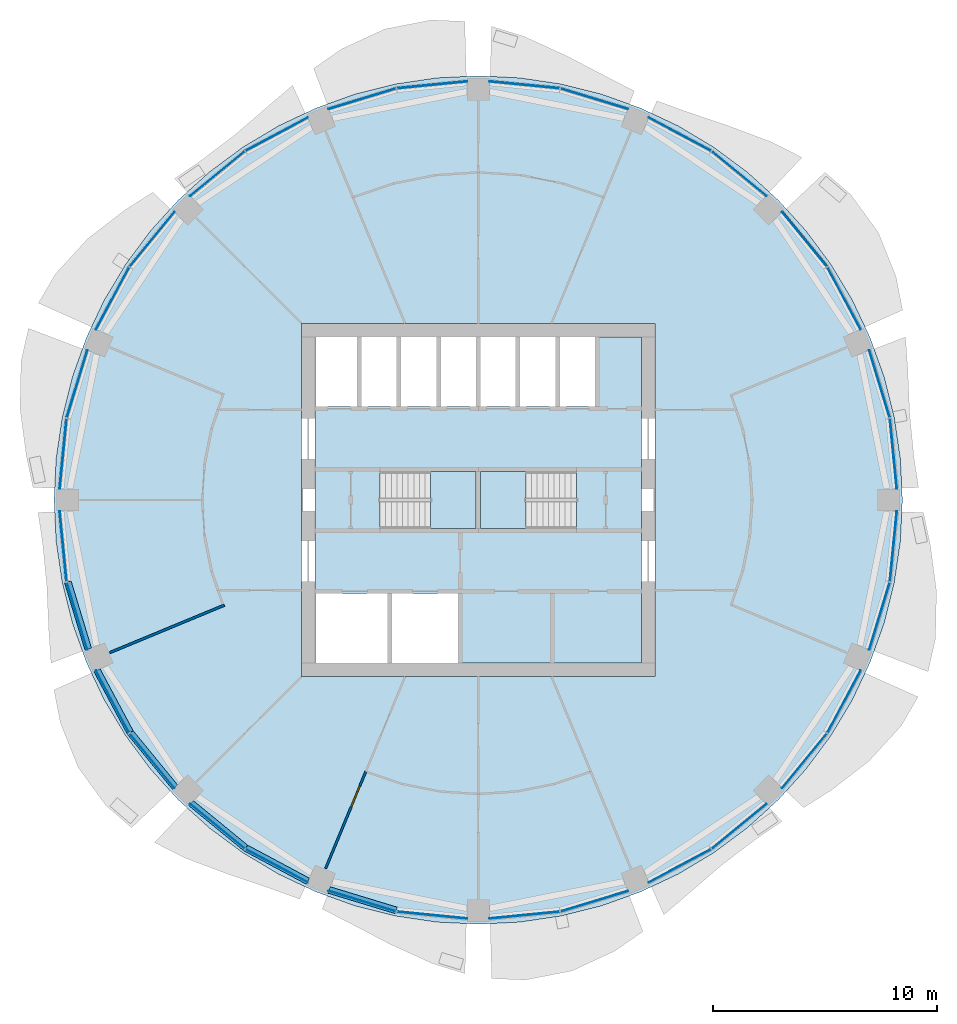
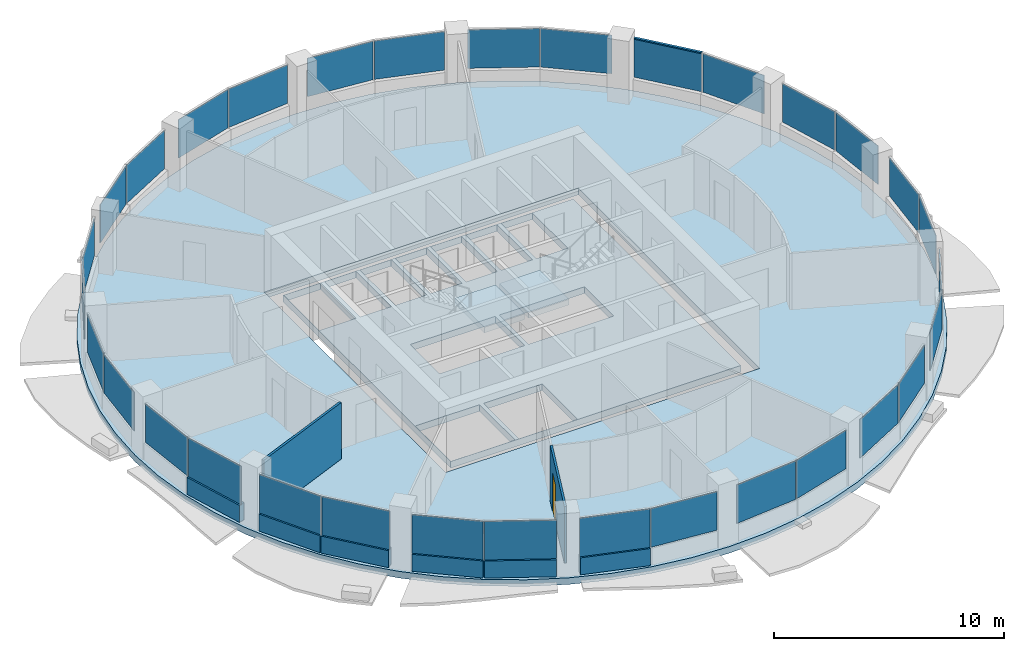
# One storey, part 7 of 14: 32 plates, 8 walls, 4 slabs, 1 door, 1 member, 1 opening, 18 elements without a shape of their own.
"""IFC4 building model written with IfcOpenShell, lengths in metres."""

import ifcopenshell
import ifcopenshell.guid

model = None  # the IFC model being written
_history = None  # IfcOwnerHistory: only IFC2X3 demands one
_inside = {}  # id of a spatial element -> (the spatial element, [elements in it])
_under = {}  # id of a project, library or spatial element -> (it, [spatial elements below it])
_declared = {}  # id of a project -> (the project, [libraries it declares])
_typed = {}  # id of a type object -> (the type object, [elements of that type])
_made_of = {}  # id of a material, layer set ... -> (it, [elements and type objects made of it])


def new_model(schema):
    """Start an empty IFC model of exactly this schema.

    Asked for "IFC4X3", IfcOpenShell would pick the latest addendum, in which some entities
    have other attributes; the version numbers below select the first issue.
    IFC2X3 requires an IfcOwnerHistory on every rooted entity: one is made here for all.
    """
    global model, _history
    if schema == "IFC4X3":
        model = ifcopenshell.file(schema_version=(4, 3, 0, 0))
    else:
        model = ifcopenshell.file(schema=schema)
    _inside.clear()
    _under.clear()
    _declared.clear()
    _typed.clear()
    _made_of.clear()
    _history = None
    if model.schema == "IFC2X3":
        org = make("IfcOrganization", Name="unknown")
        user = make(
            "IfcPersonAndOrganization",
            ThePerson=make("IfcPerson", FamilyName="unknown"),
            TheOrganization=org,
        )
        app = make(
            "IfcApplication",
            ApplicationDeveloper=org,
            Version="unknown",
            ApplicationFullName="unknown",
            ApplicationIdentifier="unknown",
        )
        _history = make(
            "IfcOwnerHistory",
            OwningUser=user,
            OwningApplication=app,
            ChangeAction="ADDED",
            CreationDate=0,
        )
    return model


def make(cls, **values):
    """One entity of the class cls with the attributes given. An attribute that is None is left unset."""
    return model.create_entity(
        cls, **{name: value for name, value in values.items() if value is not None}
    )


def rooted(cls, **values):
    """An entity with a GlobalId (a new one), such as an element, a storey or a relation."""
    return make(cls, GlobalId=ifcopenshell.guid.new(), OwnerHistory=_history, **values)


def si_unit(unit_type, name, prefix=None):
    """IfcSIUnit, for example si_unit("LENGTHUNIT", "METRE", prefix="MILLI")."""
    return make("IfcSIUnit", UnitType=unit_type, Prefix=prefix, Name=name)


def assignment(units):
    """IfcUnitAssignment: the units of a project."""
    return None if units is None else make("IfcUnitAssignment", Units=units)


def point(xyz):
    """IfcCartesianPoint."""
    return None if xyz is None else make("IfcCartesianPoint", Coordinates=xyz)


def direction(xyz):
    """IfcDirection."""
    return None if xyz is None else make("IfcDirection", DirectionRatios=xyz)


def frame(location, z_axis=None, x_axis=None):
    """IfcAxis2Placement3D, a coordinate frame: its origin and axes. An axis left out is left unset."""
    return make(
        "IfcAxis2Placement3D",
        Location=point(location),
        Axis=direction(z_axis),
        RefDirection=direction(x_axis),
    )


def frame_2d(location, x_axis=None):
    """IfcAxis2Placement2D, a coordinate frame in the plane: its origin and x axis."""
    return make(
        "IfcAxis2Placement2D", Location=point(location), RefDirection=direction(x_axis)
    )


def origin():
    """The frame at (0, 0, 0) with its axes left unset."""
    return frame((0.0, 0.0, 0.0))


def origin_2d():
    """The frame at (0, 0) in the plane with its x axis left unset."""
    return frame_2d((0.0, 0.0))


def place(relative_to, where):
    """IfcLocalPlacement: puts the frame where relative to a parent placement (None: the world)."""
    return make(
        "IfcLocalPlacement", PlacementRelTo=relative_to, RelativePlacement=where
    )


def context(
    kind, dimensions, precision=None, world=None, true_north=None, identifier=None
):
    """IfcGeometricRepresentationContext, for example the 3D "Model" context."""
    return make(
        "IfcGeometricRepresentationContext",
        ContextIdentifier=identifier,
        ContextType=kind,
        CoordinateSpaceDimension=dimensions,
        Precision=precision,
        WorldCoordinateSystem=world,
        TrueNorth=true_north,
    )


def subcontext(parent, identifier, kind, view, scale=None):
    """IfcGeometricRepresentationSubContext, for example "Body" below "Model"."""
    return make(
        "IfcGeometricRepresentationSubContext",
        ContextIdentifier=identifier,
        ContextType=kind,
        ParentContext=parent,
        TargetScale=scale,
        TargetView=view,
    )


def project(units=None, contexts=None):
    """IfcProject with its units and contexts."""
    return rooted(
        "IfcProject",
        Name="project",
        RepresentationContexts=contexts,
        UnitsInContext=assignment(units),
    )


def spatial(cls, under=None, at=None, **own):
    """A site, building, storey or space (cls), placed at a placement, below another one or the project."""
    s = rooted(cls, ObjectPlacement=at, **own)
    if under is not None:
        _under.setdefault(under.id(), (under, []))[1].append(s)
    return s


def polyline(points):
    """IfcPolyline through the points."""
    return make("IfcPolyline", Points=[point(p) for p in points])


def profile(cls, at=None, kind="AREA", **sizes):
    """A parametric profile (cls). Its sizes go by their IFC names, for example OverallWidth=200.0."""
    return make(cls, ProfileType=kind, Position=at, **sizes)


def rectangle(**sizes):
    """IfcRectangleProfileDef."""
    return profile("IfcRectangleProfileDef", **sizes)


def outline(outer, holes=None, kind="AREA"):
    """IfcArbitraryClosedProfileDef: a profile drawn as a closed curve; with holes, ...WithVoids."""
    if holes is None:
        return make("IfcArbitraryClosedProfileDef", ProfileType=kind, OuterCurve=outer)
    return make(
        "IfcArbitraryProfileDefWithVoids",
        ProfileType=kind,
        OuterCurve=outer,
        InnerCurves=holes,
    )


def extrude(swept, where, along, depth):
    """IfcExtrudedAreaSolid: the profile swept, set in the frame where, extruded along a direction by depth."""
    return make(
        "IfcExtrudedAreaSolid",
        SweptArea=swept,
        Position=where,
        ExtrudedDirection=direction(along),
        Depth=depth,
    )


def shape(context_of_items, identifier, shape_type, items):
    """IfcShapeRepresentation: the items that make up one representation, for example the "Body"."""
    return make(
        "IfcShapeRepresentation",
        ContextOfItems=context_of_items,
        RepresentationIdentifier=identifier,
        RepresentationType=shape_type,
        Items=items,
    )


def material(Name=None, Category=None):
    """IfcMaterial."""
    return make("IfcMaterial", Name=Name, Category=Category)


def layer(
    of_material, thickness, ventilated=None, Name=None, Category=None, Priority=None
):
    """IfcMaterialLayer: one layer of a wall or slab, of a material (None: an air gap)."""
    return make(
        "IfcMaterialLayer",
        Material=of_material,
        LayerThickness=thickness,
        IsVentilated=ventilated,
        Name=Name,
        Category=Category,
        Priority=Priority,
    )


def layer_set(layers, Name=None):
    """IfcMaterialLayerSet."""
    return make("IfcMaterialLayerSet", MaterialLayers=layers, LayerSetName=Name)


def material_profile(
    of_material, cross_section, Name=None, Category=None, Priority=None
):
    """IfcMaterialProfile: a cross section and its material."""
    return make(
        "IfcMaterialProfile",
        Name=Name,
        Material=of_material,
        Profile=cross_section,
        Priority=Priority,
        Category=Category,
    )


def profile_set(profiles, Name=None, composite=None):
    """IfcMaterialProfileSet."""
    return make(
        "IfcMaterialProfileSet",
        Name=Name,
        MaterialProfiles=profiles,
        CompositeProfile=composite,
    )


def made_of(thing, what):
    """Note that an element or type object is made of a material, layer set ...; save() writes the relation."""
    if what is not None:
        _made_of.setdefault(what.id(), (what, []))[1].append(thing)
    return thing


def type_object(cls, material=None, **own):
    """A type object (cls), such as IfcWallType, which elements share."""
    return made_of(rooted(cls, **own), material)


def element(
    cls,
    number,
    at=None,
    inside=None,
    cuts=None,
    type_object=None,
    material=None,
    context=None,
    identifier="Body",
    shape_type=None,
    held_by="IfcProductDefinitionShape",
    body=None,
    shapes=None,
    **own,
):
    """One element of the class cls, such as IfcWall. Its Tag is "e" and its number.

    at: its placement. inside: the storey or other place that contains it. cuts: it is an
    opening in that element (IfcRelVoidsElement). A single representation is given by context,
    identifier, shape_type and body (its items); several are given by shapes. held_by: the class
    of the entity that holds the representations. save() writes the other relations.
    """
    e = rooted(cls, Tag="e%d" % number, ObjectPlacement=at, **own)
    if body is not None:
        shapes = [shape(context, identifier, shape_type, body)]
    if shapes is not None:
        e.Representation = make(held_by, Representations=shapes)
    if inside is not None:
        _inside.setdefault(inside.id(), (inside, []))[1].append(e)
    if cuts is not None:
        rooted(
            "IfcRelVoidsElement", RelatingBuildingElement=cuts, RelatedOpeningElement=e
        )
    if type_object is not None:
        _typed.setdefault(type_object.id(), (type_object, []))[1].append(e)
    return made_of(e, material)


def fill(opening, filler):
    """IfcRelFillsElement: the door or window that sits in an opening."""
    return rooted(
        "IfcRelFillsElement",
        RelatingOpeningElement=opening,
        RelatedBuildingElement=filler,
    )


def aggregate(whole, parts):
    """IfcRelAggregates: a whole, such as a stair, and the parts it consists of."""
    return rooted("IfcRelAggregates", RelatingObject=whole, RelatedObjects=parts)


def save(model, path):
    """Write the relations noted so far, then the file.

    IfcRelAggregates (storeys below a building ...), IfcRelContainedInSpatialStructure (elements
    in a storey), IfcRelDefinesByType, IfcRelAssociatesMaterial and IfcRelDeclares: one each for
    every whole, place, type object, material and project.
    """
    for whole, parts in _under.values():
        aggregate(whole, parts)
    for where, things in _inside.values():
        rooted(
            "IfcRelContainedInSpatialStructure",
            RelatedElements=things,
            RelatingStructure=where,
        )
    for kind, things in _typed.values():
        rooted("IfcRelDefinesByType", RelatedObjects=things, RelatingType=kind)
    for what, things in _made_of.values():
        rooted("IfcRelAssociatesMaterial", RelatedObjects=things, RelatingMaterial=what)
    for by, libraries in _declared.values():
        rooted("IfcRelDeclares", RelatingContext=by, RelatedDefinitions=libraries)
    model.write(path)


model = new_model("IFC4")

# Units and contexts
model_context = context("Model", 3, precision=1e-05, world=origin(), true_north=direction((0.0, 1.0)))
body_context = subcontext(model_context, "Body", "Model", "MODEL_VIEW")
ifc_project = project(units=[si_unit("LENGTHUNIT", "METRE"), si_unit("AREAUNIT", "SQUARE_METRE"), si_unit("VOLUMEUNIT", "CUBIC_METRE"), si_unit("PLANEANGLEUNIT", "RADIAN"), si_unit("MASSUNIT", "GRAM", prefix="KILO")], contexts=[model_context])

# Site, building, storey
site_placement = place(None, origin())
site = spatial("IfcSite", under=ifc_project, at=site_placement, CompositionType="ELEMENT")
building_placement = place(site_placement, origin())
building = spatial("IfcBuilding", under=site, at=building_placement, Name="Polderwave Tower", CompositionType="ELEMENT")
storey_placement = place(building_placement, frame((0.0, 0.0, 144.39990234375)))
storey = spatial("IfcBuildingStorey", under=building, at=storey_placement, Name="L38", CompositionType="ELEMENT", Elevation=144.39990234375)

# Curtain wall, member
ifc_material_1 = material(Name="Aluminium 6063-T6 and glass", Category="aluminium")
curtain_wall_type = type_object("IfcCurtainWallType", Name="Office ribbon glazing wall", PredefinedType="NOTDEFINED", material=ifc_material_1)
curtain_wall_1_placement = place(storey_placement, origin())
curtain_wall_1 = element("IfcCurtainWall", 1, at=curtain_wall_1_placement, inside=storey, type_object=curtain_wall_type, Name="CW3 L38 01", PredefinedType="NOTDEFINED")
ifc_material_2 = material(Name="Aluminium 6063-T6", Category="aluminium")
ifc_material_profile = material_profile(ifc_material_2, rectangle(XDim=0.1201171875, YDim=0.06005859375, at=origin_2d()), Name="AL 60x120")
ifc_profile_set = profile_set([ifc_material_profile], Name="Aluminium 6063-T6")
member_type = type_object("IfcMemberType", Name="Office ribbon glazing transom 60x120", PredefinedType="USERDEFINED", material=ifc_profile_set)
member_placement = place(storey_placement, frame((15.530517578125, 10.410400390625, 2.97021484375), z_axis=(-0.634153141657, 0.773207470816, 0.0), x_axis=(-0.773207470816, -0.634153141657, 0.0)))
member = element("IfcMember", 2, at=member_placement, type_object=member_type, Name="CW3 transom 2", ObjectType="TRANSOM", PredefinedType="USERDEFINED", context=body_context, shape_type="SweptSolid", body=[
    extrude(rectangle(XDim=0.1201171875, YDim=0.06005859375, at=origin_2d()), origin(), (0.0, 0.0, 1.0), 3.1357421875),
])

# Slab
ifc_material_3 = material(Name="Concrete C40/50", Category="concrete")
ifc_layer_1 = layer(ifc_material_3, 0.35009765625)
ifc_layer_set_1 = layer_set([ifc_layer_1], Name="Core floor slab 350")
slab_type_1 = type_object("IfcSlabType", Name="Core floor slab 350", PredefinedType="FLOOR", material=ifc_layer_set_1)
slab_1_placement = place(storey_placement, frame((0.0, 0.0, -0.349853515625)))
element("IfcSlab", 3, at=slab_1_placement, inside=storey, type_object=slab_type_1, Name="L38 core floor", PredefinedType="FLOOR", context=body_context, shape_type="SweptSolid", body=[
    extrude(outline(polyline([(-7.27392578125, -7.27392578125), (7.27392578125, -7.27392578125), (7.27392578125, 7.27392578125), (-7.27392578125, 7.27392578125), (-7.27392578125, -7.27392578125)]), holes=[polyline([(-7.25390625, -7.25390625), (-4.037109375, -7.25390625), (-4.037109375, -4.174072265625), (-7.25390625, -4.174072265625), (-7.25390625, -7.25390625)]), polyline([(-3.8369140625, -7.25390625), (-0.89990234375, -7.25390625), (-0.89990234375, -4.174072265625), (-3.8369140625, -4.174072265625), (-3.8369140625, -7.25390625)]), polyline([(-7.25390625, 4.174072265625), (-5.405517578125, 4.174072265625), (-5.405517578125, 7.25390625), (-7.25390625, 7.25390625), (-7.25390625, 4.174072265625)]), polyline([(-5.20556640625, 4.174072265625), (-3.636962890625, 4.174072265625), (-3.636962890625, 7.25390625), (-5.20556640625, 7.25390625), (-5.20556640625, 4.174072265625)]), polyline([(-3.43701171875, 4.174072265625), (-1.868408203125, 4.174072265625), (-1.868408203125, 7.25390625), (-3.43701171875, 7.25390625), (-3.43701171875, 4.174072265625)]), polyline([(-1.66845703125, 4.174072265625), (-0.10009765625, 4.174072265625), (-0.10009765625, 7.25390625), (-1.66845703125, 7.25390625), (-1.66845703125, 4.174072265625)]), polyline([(0.10009765625, 4.174072265625), (1.66845703125, 4.174072265625), (1.66845703125, 7.25390625), (0.10009765625, 7.25390625), (0.10009765625, 4.174072265625)]), polyline([(1.868408203125, 4.174072265625), (3.43701171875, 4.174072265625), (3.43701171875, 7.25390625), (1.868408203125, 7.25390625), (1.868408203125, 4.174072265625)]), polyline([(3.636962890625, 4.174072265625), (5.20556640625, 4.174072265625), (5.20556640625, 7.25390625), (3.636962890625, 7.25390625), (3.636962890625, 4.174072265625)]), polyline([(-4.37353515625, -1.2744140625), (-0.1005859375, -1.2744140625), (-0.1005859375, 1.2744140625), (-4.37353515625, 1.2744140625), (-4.37353515625, -1.2744140625)]), polyline([(0.1005859375, -1.2744140625), (4.37353515625, -1.2744140625), (4.37353515625, 1.2744140625), (0.1005859375, 1.2744140625), (0.1005859375, -1.2744140625)])]), origin(), (0.0, 0.0, 1.0), 0.349853515625),
])

# Curtain wall, plates
curtain_wall_2_placement = place(storey_placement, origin())
curtain_wall_2 = element("IfcCurtainWall", 4, at=curtain_wall_2_placement, inside=storey, type_object=curtain_wall_type, Name="CW3 L38 00", PredefinedType="NOTDEFINED")
ifc_material_4 = material(Name="Glass, low-e laminated double glazing", Category="glass")
ifc_layer_2 = layer(ifc_material_4, 0.031982421875)
ifc_layer_set_2 = layer_set([ifc_layer_2], Name="Office ribbon glazing glass panel 32 mm")
plate_type = type_object("IfcPlateType", Name="Office ribbon glazing glass panel 32 mm", PredefinedType="CURTAIN_PANEL", material=ifc_layer_set_2)
plate_1_placement = place(storey_placement, frame((18.497314453125, 2.060302734375, 0.900146484375), z_axis=(0.0, 0.0, 1.0), x_axis=(-0.098001507992, 0.995186266199, 0.0)))
plate_1 = element("IfcPlate", 5, at=plate_1_placement, type_object=plate_type, Name="CW3 panel 1", PredefinedType="CURTAIN_PANEL", context=body_context, shape_type="SweptSolid", body=[
    extrude(rectangle(XDim=3.1357421875, YDim=0.031982421875, at=origin_2d()), origin(), (0.0, 0.0, 1.0), 2.0400390625),
])
plate_2_placement = place(storey_placement, frame((17.87744140625, 5.1748046875, 0.900146484375), z_axis=(0.0, 0.0, 1.0), x_axis=(-0.290506802834, 0.95687292652, 0.0)))
plate_2 = element("IfcPlate", 6, at=plate_2_placement, type_object=plate_type, Name="CW3 panel 2", PredefinedType="CURTAIN_PANEL", context=body_context, shape_type="SweptSolid", body=[
    extrude(rectangle(XDim=3.135986328125, YDim=0.031982421875, at=origin_2d()), origin(), (0.0, 0.0, 1.0), 2.0400390625),
])
aggregate(curtain_wall_2, [plate_1, plate_2])

# Plate
plate_3_placement = place(storey_placement, frame((16.300537109375, 8.98193359375, 0.900146484375), z_axis=(0.0, 0.0, 1.0), x_axis=(-0.471572201194, 0.881827454246, 0.0)))
plate_3 = element("IfcPlate", 7, at=plate_3_placement, type_object=plate_type, Name="CW3 panel 1", PredefinedType="CURTAIN_PANEL", context=body_context, shape_type="SweptSolid", body=[
    extrude(rectangle(XDim=3.136474609375, YDim=0.031982421875, at=origin_2d()), origin(), (0.0, 0.0, 1.0), 2.0400390625),
])

plate_4_placement = place(storey_placement, frame((14.536376953125, 11.62255859375, 0.900146484375), z_axis=(0.0, 0.0, 1.0), x_axis=(-0.63413286073, 0.773224103958, 0.0)))
plate_4 = element("IfcPlate", 8, at=plate_4_placement, type_object=plate_type, Name="CW3 panel 2", PredefinedType="CURTAIN_PANEL", context=body_context, shape_type="SweptSolid", body=[
    extrude(rectangle(XDim=3.135986328125, YDim=0.031982421875, at=origin_2d()), origin(), (0.0, 0.0, 1.0), 2.0400390625),
])

aggregate(curtain_wall_1, [member, plate_3, plate_4])

# Curtain wall, plates
curtain_wall_3_placement = place(storey_placement, origin())
curtain_wall_3 = element("IfcCurtainWall", 9, at=curtain_wall_3_placement, inside=storey, type_object=curtain_wall_type, Name="CW3 L38 02", PredefinedType="NOTDEFINED")
plate_5_placement = place(storey_placement, frame((11.62255859375, 14.536376953125, 0.900146484375), z_axis=(0.0, 0.0, 1.0), x_axis=(-0.773224103958, 0.63413286073, 0.0)))
plate_5 = element("IfcPlate", 10, at=plate_5_placement, type_object=plate_type, Name="CW3 panel 1", PredefinedType="CURTAIN_PANEL", context=body_context, shape_type="SweptSolid", body=[
    extrude(rectangle(XDim=3.135986328125, YDim=0.031982421875, at=origin_2d()), origin(), (0.0, 0.0, 1.0), 2.0400390625),
])
plate_6_placement = place(storey_placement, frame((8.98193359375, 16.300537109375, 0.900146484375), z_axis=(0.0, 0.0, 1.0), x_axis=(-0.881827454246, 0.471572201194, 0.0)))
plate_6 = element("IfcPlate", 11, at=plate_6_placement, type_object=plate_type, Name="CW3 panel 2", PredefinedType="CURTAIN_PANEL", context=body_context, shape_type="SweptSolid", body=[
    extrude(rectangle(XDim=3.136474609375, YDim=0.031982421875, at=origin_2d()), origin(), (0.0, 0.0, 1.0), 2.0400390625),
])
aggregate(curtain_wall_3, [plate_5, plate_6])

curtain_wall_4_placement = place(storey_placement, origin())
curtain_wall_4 = element("IfcCurtainWall", 12, at=curtain_wall_4_placement, inside=storey, type_object=curtain_wall_type, Name="CW3 L38 03", PredefinedType="NOTDEFINED")
plate_7_placement = place(storey_placement, frame((5.1748046875, 17.87744140625, 0.900146484375), z_axis=(0.0, 0.0, 1.0), x_axis=(-0.95687292652, 0.290506802834, 0.0)))
plate_7 = element("IfcPlate", 13, at=plate_7_placement, type_object=plate_type, Name="CW3 panel 1", PredefinedType="CURTAIN_PANEL", context=body_context, shape_type="SweptSolid", body=[
    extrude(rectangle(XDim=3.135986328125, YDim=0.031982421875, at=origin_2d()), origin(), (0.0, 0.0, 1.0), 2.0400390625),
])
plate_8_placement = place(storey_placement, frame((2.060302734375, 18.497314453125, 0.900146484375), z_axis=(0.0, 0.0, 1.0), x_axis=(-0.995186266199, 0.098001507992, 0.0)))
plate_8 = element("IfcPlate", 14, at=plate_8_placement, type_object=plate_type, Name="CW3 panel 2", PredefinedType="CURTAIN_PANEL", context=body_context, shape_type="SweptSolid", body=[
    extrude(rectangle(XDim=3.1357421875, YDim=0.031982421875, at=origin_2d()), origin(), (0.0, 0.0, 1.0), 2.0400390625),
])
aggregate(curtain_wall_4, [plate_7, plate_8])

curtain_wall_5_placement = place(storey_placement, origin())
curtain_wall_5 = element("IfcCurtainWall", 15, at=curtain_wall_5_placement, inside=storey, type_object=curtain_wall_type, Name="CW3 L38 04", PredefinedType="NOTDEFINED")
plate_9_placement = place(storey_placement, frame((-2.060302734375, 18.497314453125, 0.900146484375), z_axis=(0.0, 0.0, 1.0), x_axis=(-0.995186266199, -0.098001507992, 0.0)))
plate_9 = element("IfcPlate", 16, at=plate_9_placement, type_object=plate_type, Name="CW3 panel 1", PredefinedType="CURTAIN_PANEL", context=body_context, shape_type="SweptSolid", body=[
    extrude(rectangle(XDim=3.1357421875, YDim=0.031982421875, at=origin_2d()), origin(), (0.0, 0.0, 1.0), 2.0400390625),
])
plate_10_placement = place(storey_placement, frame((-5.1748046875, 17.87744140625, 0.900146484375), z_axis=(0.0, 0.0, 1.0), x_axis=(-0.95687292652, -0.290506802834, 0.0)))
plate_10 = element("IfcPlate", 17, at=plate_10_placement, type_object=plate_type, Name="CW3 panel 2", PredefinedType="CURTAIN_PANEL", context=body_context, shape_type="SweptSolid", body=[
    extrude(rectangle(XDim=3.135986328125, YDim=0.031982421875, at=origin_2d()), origin(), (0.0, 0.0, 1.0), 2.0400390625),
])
aggregate(curtain_wall_5, [plate_9, plate_10])

curtain_wall_6_placement = place(storey_placement, origin())
curtain_wall_6 = element("IfcCurtainWall", 18, at=curtain_wall_6_placement, inside=storey, type_object=curtain_wall_type, Name="CW3 L38 05", PredefinedType="NOTDEFINED")
plate_11_placement = place(storey_placement, frame((-8.98193359375, 16.300537109375, 0.900146484375), z_axis=(0.0, 0.0, 1.0), x_axis=(-0.881827454246, -0.471572201194, 0.0)))
plate_11 = element("IfcPlate", 19, at=plate_11_placement, type_object=plate_type, Name="CW3 panel 1", PredefinedType="CURTAIN_PANEL", context=body_context, shape_type="SweptSolid", body=[
    extrude(rectangle(XDim=3.136474609375, YDim=0.031982421875, at=origin_2d()), origin(), (0.0, 0.0, 1.0), 2.0400390625),
])
plate_12_placement = place(storey_placement, frame((-11.62255859375, 14.536376953125, 0.900146484375), z_axis=(0.0, 0.0, 1.0), x_axis=(-0.773224103958, -0.63413286073, 0.0)))
plate_12 = element("IfcPlate", 20, at=plate_12_placement, type_object=plate_type, Name="CW3 panel 2", PredefinedType="CURTAIN_PANEL", context=body_context, shape_type="SweptSolid", body=[
    extrude(rectangle(XDim=3.135986328125, YDim=0.031982421875, at=origin_2d()), origin(), (0.0, 0.0, 1.0), 2.0400390625),
])
aggregate(curtain_wall_6, [plate_11, plate_12])

curtain_wall_7_placement = place(storey_placement, origin())
curtain_wall_7 = element("IfcCurtainWall", 21, at=curtain_wall_7_placement, inside=storey, type_object=curtain_wall_type, Name="CW3 L38 06", PredefinedType="NOTDEFINED")
plate_13_placement = place(storey_placement, frame((-14.536376953125, 11.62255859375, 0.900146484375), z_axis=(0.0, 0.0, 1.0), x_axis=(-0.63413286073, -0.773224103958, 0.0)))
plate_13 = element("IfcPlate", 22, at=plate_13_placement, type_object=plate_type, Name="CW3 panel 1", PredefinedType="CURTAIN_PANEL", context=body_context, shape_type="SweptSolid", body=[
    extrude(rectangle(XDim=3.135986328125, YDim=0.031982421875, at=origin_2d()), origin(), (0.0, 0.0, 1.0), 2.0400390625),
])
plate_14_placement = place(storey_placement, frame((-16.300537109375, 8.98193359375, 0.900146484375), z_axis=(0.0, 0.0, 1.0), x_axis=(-0.471572201194, -0.881827454246, 0.0)))
plate_14 = element("IfcPlate", 23, at=plate_14_placement, type_object=plate_type, Name="CW3 panel 2", PredefinedType="CURTAIN_PANEL", context=body_context, shape_type="SweptSolid", body=[
    extrude(rectangle(XDim=3.136474609375, YDim=0.031982421875, at=origin_2d()), origin(), (0.0, 0.0, 1.0), 2.0400390625),
])
aggregate(curtain_wall_7, [plate_13, plate_14])

curtain_wall_8_placement = place(storey_placement, origin())
curtain_wall_8 = element("IfcCurtainWall", 24, at=curtain_wall_8_placement, inside=storey, type_object=curtain_wall_type, Name="CW3 L38 07", PredefinedType="NOTDEFINED")
plate_15_placement = place(storey_placement, frame((-17.87744140625, 5.1748046875, 0.900146484375), z_axis=(0.0, 0.0, 1.0), x_axis=(-0.290506802834, -0.95687292652, 0.0)))
plate_15 = element("IfcPlate", 25, at=plate_15_placement, type_object=plate_type, Name="CW3 panel 1", PredefinedType="CURTAIN_PANEL", context=body_context, shape_type="SweptSolid", body=[
    extrude(rectangle(XDim=3.135986328125, YDim=0.031982421875, at=origin_2d()), origin(), (0.0, 0.0, 1.0), 2.0400390625),
])
plate_16_placement = place(storey_placement, frame((-18.497314453125, 2.060302734375, 0.900146484375), z_axis=(0.0, 0.0, 1.0), x_axis=(-0.098001507992, -0.995186266199, 0.0)))
plate_16 = element("IfcPlate", 26, at=plate_16_placement, type_object=plate_type, Name="CW3 panel 2", PredefinedType="CURTAIN_PANEL", context=body_context, shape_type="SweptSolid", body=[
    extrude(rectangle(XDim=3.1357421875, YDim=0.031982421875, at=origin_2d()), origin(), (0.0, 0.0, 1.0), 2.0400390625),
])
aggregate(curtain_wall_8, [plate_15, plate_16])

curtain_wall_9_placement = place(storey_placement, origin())
curtain_wall_9 = element("IfcCurtainWall", 27, at=curtain_wall_9_placement, inside=storey, type_object=curtain_wall_type, Name="CW3 L38 08", PredefinedType="NOTDEFINED")
plate_17_placement = place(storey_placement, frame((-18.497314453125, -2.060302734375, 0.900146484375), z_axis=(0.0, 0.0, 1.0), x_axis=(0.098001507992, -0.995186266199, 0.0)))
plate_17 = element("IfcPlate", 28, at=plate_17_placement, type_object=plate_type, Name="CW3 panel 1", PredefinedType="CURTAIN_PANEL", context=body_context, shape_type="SweptSolid", body=[
    extrude(rectangle(XDim=3.1357421875, YDim=0.031982421875, at=origin_2d()), origin(), (0.0, 0.0, 1.0), 2.0400390625),
])
plate_18_placement = place(storey_placement, frame((-17.87744140625, -5.1748046875, 0.900146484375), z_axis=(0.0, 0.0, 1.0), x_axis=(0.290506802834, -0.95687292652, 0.0)))
plate_18 = element("IfcPlate", 29, at=plate_18_placement, type_object=plate_type, Name="CW3 panel 2", PredefinedType="CURTAIN_PANEL", context=body_context, shape_type="SweptSolid", body=[
    extrude(rectangle(XDim=3.135986328125, YDim=0.031982421875, at=origin_2d()), origin(), (0.0, 0.0, 1.0), 2.0400390625),
])
aggregate(curtain_wall_9, [plate_17, plate_18])

curtain_wall_10_placement = place(storey_placement, origin())
curtain_wall_10 = element("IfcCurtainWall", 30, at=curtain_wall_10_placement, inside=storey, type_object=curtain_wall_type, Name="CW3 L38 09", PredefinedType="NOTDEFINED")
plate_19_placement = place(storey_placement, frame((-16.300537109375, -8.98193359375, 0.900146484375), z_axis=(0.0, 0.0, 1.0), x_axis=(0.471572201194, -0.881827454246, 0.0)))
plate_19 = element("IfcPlate", 31, at=plate_19_placement, type_object=plate_type, Name="CW3 panel 1", PredefinedType="CURTAIN_PANEL", context=body_context, shape_type="SweptSolid", body=[
    extrude(rectangle(XDim=3.136474609375, YDim=0.031982421875, at=origin_2d()), origin(), (0.0, 0.0, 1.0), 2.0400390625),
])
plate_20_placement = place(storey_placement, frame((-14.536376953125, -11.62255859375, 0.900146484375), z_axis=(0.0, 0.0, 1.0), x_axis=(0.63413286073, -0.773224103958, 0.0)))
plate_20 = element("IfcPlate", 32, at=plate_20_placement, type_object=plate_type, Name="CW3 panel 2", PredefinedType="CURTAIN_PANEL", context=body_context, shape_type="SweptSolid", body=[
    extrude(rectangle(XDim=3.135986328125, YDim=0.031982421875, at=origin_2d()), origin(), (0.0, 0.0, 1.0), 2.0400390625),
])
aggregate(curtain_wall_10, [plate_19, plate_20])

curtain_wall_11_placement = place(storey_placement, origin())
curtain_wall_11 = element("IfcCurtainWall", 33, at=curtain_wall_11_placement, inside=storey, type_object=curtain_wall_type, Name="CW3 L38 10", PredefinedType="NOTDEFINED")
plate_21_placement = place(storey_placement, frame((-11.62255859375, -14.536376953125, 0.900146484375), z_axis=(0.0, 0.0, 1.0), x_axis=(0.773224103958, -0.63413286073, 0.0)))
plate_21 = element("IfcPlate", 34, at=plate_21_placement, type_object=plate_type, Name="CW3 panel 1", PredefinedType="CURTAIN_PANEL", context=body_context, shape_type="SweptSolid", body=[
    extrude(rectangle(XDim=3.135986328125, YDim=0.031982421875, at=origin_2d()), origin(), (0.0, 0.0, 1.0), 2.0400390625),
])
plate_22_placement = place(storey_placement, frame((-8.98193359375, -16.300537109375, 0.900146484375), z_axis=(0.0, 0.0, 1.0), x_axis=(0.881827454246, -0.471572201194, 0.0)))
plate_22 = element("IfcPlate", 35, at=plate_22_placement, type_object=plate_type, Name="CW3 panel 2", PredefinedType="CURTAIN_PANEL", context=body_context, shape_type="SweptSolid", body=[
    extrude(rectangle(XDim=3.136474609375, YDim=0.031982421875, at=origin_2d()), origin(), (0.0, 0.0, 1.0), 2.0400390625),
])
aggregate(curtain_wall_11, [plate_21, plate_22])

curtain_wall_12_placement = place(storey_placement, origin())
curtain_wall_12 = element("IfcCurtainWall", 36, at=curtain_wall_12_placement, inside=storey, type_object=curtain_wall_type, Name="CW3 L38 11", PredefinedType="NOTDEFINED")
plate_23_placement = place(storey_placement, frame((-5.1748046875, -17.87744140625, 0.900146484375), z_axis=(0.0, 0.0, 1.0), x_axis=(0.95687292652, -0.290506802834, 0.0)))
plate_23 = element("IfcPlate", 37, at=plate_23_placement, type_object=plate_type, Name="CW3 panel 1", PredefinedType="CURTAIN_PANEL", context=body_context, shape_type="SweptSolid", body=[
    extrude(rectangle(XDim=3.135986328125, YDim=0.031982421875, at=origin_2d()), origin(), (0.0, 0.0, 1.0), 2.0400390625),
])
plate_24_placement = place(storey_placement, frame((-2.060302734375, -18.497314453125, 0.900146484375), z_axis=(0.0, 0.0, 1.0), x_axis=(0.995186266199, -0.098001507992, 0.0)))
plate_24 = element("IfcPlate", 38, at=plate_24_placement, type_object=plate_type, Name="CW3 panel 2", PredefinedType="CURTAIN_PANEL", context=body_context, shape_type="SweptSolid", body=[
    extrude(rectangle(XDim=3.1357421875, YDim=0.031982421875, at=origin_2d()), origin(), (0.0, 0.0, 1.0), 2.0400390625),
])
aggregate(curtain_wall_12, [plate_23, plate_24])

curtain_wall_13_placement = place(storey_placement, origin())
curtain_wall_13 = element("IfcCurtainWall", 39, at=curtain_wall_13_placement, inside=storey, type_object=curtain_wall_type, Name="CW3 L38 12", PredefinedType="NOTDEFINED")
plate_25_placement = place(storey_placement, frame((2.060302734375, -18.497314453125, 0.900146484375), z_axis=(0.0, 0.0, 1.0), x_axis=(0.995186266199, 0.098001507992, 0.0)))
plate_25 = element("IfcPlate", 40, at=plate_25_placement, type_object=plate_type, Name="CW3 panel 1", PredefinedType="CURTAIN_PANEL", context=body_context, shape_type="SweptSolid", body=[
    extrude(rectangle(XDim=3.1357421875, YDim=0.031982421875, at=origin_2d()), origin(), (0.0, 0.0, 1.0), 2.0400390625),
])
plate_26_placement = place(storey_placement, frame((5.1748046875, -17.87744140625, 0.900146484375), z_axis=(0.0, 0.0, 1.0), x_axis=(0.95687292652, 0.290506802834, 0.0)))
plate_26 = element("IfcPlate", 41, at=plate_26_placement, type_object=plate_type, Name="CW3 panel 2", PredefinedType="CURTAIN_PANEL", context=body_context, shape_type="SweptSolid", body=[
    extrude(rectangle(XDim=3.135986328125, YDim=0.031982421875, at=origin_2d()), origin(), (0.0, 0.0, 1.0), 2.0400390625),
])
aggregate(curtain_wall_13, [plate_25, plate_26])

curtain_wall_14_placement = place(storey_placement, origin())
curtain_wall_14 = element("IfcCurtainWall", 42, at=curtain_wall_14_placement, inside=storey, type_object=curtain_wall_type, Name="CW3 L38 13", PredefinedType="NOTDEFINED")
plate_27_placement = place(storey_placement, frame((8.98193359375, -16.300537109375, 0.900146484375), z_axis=(0.0, 0.0, 1.0), x_axis=(0.881827454246, 0.471572201194, 0.0)))
plate_27 = element("IfcPlate", 43, at=plate_27_placement, type_object=plate_type, Name="CW3 panel 1", PredefinedType="CURTAIN_PANEL", context=body_context, shape_type="SweptSolid", body=[
    extrude(rectangle(XDim=3.136474609375, YDim=0.031982421875, at=origin_2d()), origin(), (0.0, 0.0, 1.0), 2.0400390625),
])
plate_28_placement = place(storey_placement, frame((11.62255859375, -14.536376953125, 0.900146484375), z_axis=(0.0, 0.0, 1.0), x_axis=(0.773224103958, 0.63413286073, 0.0)))
plate_28 = element("IfcPlate", 44, at=plate_28_placement, type_object=plate_type, Name="CW3 panel 2", PredefinedType="CURTAIN_PANEL", context=body_context, shape_type="SweptSolid", body=[
    extrude(rectangle(XDim=3.135986328125, YDim=0.031982421875, at=origin_2d()), origin(), (0.0, 0.0, 1.0), 2.0400390625),
])
aggregate(curtain_wall_14, [plate_27, plate_28])

curtain_wall_15_placement = place(storey_placement, origin())
curtain_wall_15 = element("IfcCurtainWall", 45, at=curtain_wall_15_placement, inside=storey, type_object=curtain_wall_type, Name="CW3 L38 14", PredefinedType="NOTDEFINED")
plate_29_placement = place(storey_placement, frame((14.536376953125, -11.62255859375, 0.900146484375), z_axis=(0.0, 0.0, 1.0), x_axis=(0.63413286073, 0.773224103958, 0.0)))
plate_29 = element("IfcPlate", 46, at=plate_29_placement, type_object=plate_type, Name="CW3 panel 1", PredefinedType="CURTAIN_PANEL", context=body_context, shape_type="SweptSolid", body=[
    extrude(rectangle(XDim=3.135986328125, YDim=0.031982421875, at=origin_2d()), origin(), (0.0, 0.0, 1.0), 2.0400390625),
])
plate_30_placement = place(storey_placement, frame((16.300537109375, -8.98193359375, 0.900146484375), z_axis=(0.0, 0.0, 1.0), x_axis=(0.471572201194, 0.881827454246, 0.0)))
plate_30 = element("IfcPlate", 47, at=plate_30_placement, type_object=plate_type, Name="CW3 panel 2", PredefinedType="CURTAIN_PANEL", context=body_context, shape_type="SweptSolid", body=[
    extrude(rectangle(XDim=3.136474609375, YDim=0.031982421875, at=origin_2d()), origin(), (0.0, 0.0, 1.0), 2.0400390625),
])
aggregate(curtain_wall_15, [plate_29, plate_30])

curtain_wall_16_placement = place(storey_placement, origin())
curtain_wall_16 = element("IfcCurtainWall", 48, at=curtain_wall_16_placement, inside=storey, type_object=curtain_wall_type, Name="CW3 L38 15", PredefinedType="NOTDEFINED")
plate_31_placement = place(storey_placement, frame((17.87744140625, -5.1748046875, 0.900146484375), z_axis=(0.0, 0.0, 1.0), x_axis=(0.290506802834, 0.95687292652, 0.0)))
plate_31 = element("IfcPlate", 49, at=plate_31_placement, type_object=plate_type, Name="CW3 panel 1", PredefinedType="CURTAIN_PANEL", context=body_context, shape_type="SweptSolid", body=[
    extrude(rectangle(XDim=3.135986328125, YDim=0.031982421875, at=origin_2d()), origin(), (0.0, 0.0, 1.0), 2.0400390625),
])
plate_32_placement = place(storey_placement, frame((18.497314453125, -2.060302734375, 0.900146484375), z_axis=(0.0, 0.0, 1.0), x_axis=(0.098001507992, 0.995186266199, 0.0)))
plate_32 = element("IfcPlate", 50, at=plate_32_placement, type_object=plate_type, Name="CW3 panel 2", PredefinedType="CURTAIN_PANEL", context=body_context, shape_type="SweptSolid", body=[
    extrude(rectangle(XDim=3.1357421875, YDim=0.031982421875, at=origin_2d()), origin(), (0.0, 0.0, 1.0), 2.0400390625),
])
aggregate(curtain_wall_16, [plate_31, plate_32])

# Slab
ifc_layer_3 = layer(ifc_material_3, 0.35009765625)
ifc_layer_set_3 = layer_set([ifc_layer_3], Name="PT FLOOR SLAB 350 C40/50")
slab_type_2 = type_object("IfcSlabType", Name="PT FLOOR SLAB 350 C40/50", PredefinedType="FLOOR", material=ifc_layer_set_3)
slab_2_placement = place(storey_placement, frame((0.0, 0.0, -0.349853515625)))
element("IfcSlab", 51, at=slab_2_placement, inside=storey, type_object=slab_type_2, Name="ST-SLAB-L38", PredefinedType="FLOOR", context=body_context, shape_type="SweptSolid", body=[
    extrude(outline(polyline([(18.89990234375, 0.0), (18.80908203125, 1.8525390625), (18.536865234375, 3.687255859375), (18.086181640625, 5.486328125), (17.461181640625, 7.232666015625), (16.668212890625, 8.909423828125), (15.71484375, 10.500244140625), (14.60986328125, 11.989990234375), (13.3642578125, 13.3642578125), (11.989990234375, 14.60986328125), (10.500244140625, 15.71484375), (8.909423828125, 16.668212890625), (7.232666015625, 17.461181640625), (5.486328125, 18.086181640625), (3.687255859375, 18.536865234375), (1.8525390625, 18.80908203125), (0.0, 18.89990234375), (-1.8525390625, 18.80908203125), (-3.687255859375, 18.536865234375), (-5.486328125, 18.086181640625), (-7.232666015625, 17.461181640625), (-8.909423828125, 16.668212890625), (-10.500244140625, 15.71484375), (-11.989990234375, 14.60986328125), (-13.3642578125, 13.3642578125), (-14.60986328125, 11.989990234375), (-15.71484375, 10.500244140625), (-16.668212890625, 8.909423828125), (-17.461181640625, 7.232666015625), (-18.086181640625, 5.486328125), (-18.536865234375, 3.687255859375), (-18.80908203125, 1.8525390625), (-18.89990234375, 0.0), (-18.80908203125, -1.8525390625), (-18.536865234375, -3.687255859375), (-18.086181640625, -5.486328125), (-17.461181640625, -7.232666015625), (-16.668212890625, -8.909423828125), (-15.71484375, -10.500244140625), (-14.60986328125, -11.989990234375), (-13.3642578125, -13.3642578125), (-11.989990234375, -14.60986328125), (-10.500244140625, -15.71484375), (-8.909423828125, -16.668212890625), (-7.232666015625, -17.461181640625), (-5.486328125, -18.086181640625), (-3.687255859375, -18.536865234375), (-1.8525390625, -18.80908203125), (0.0, -18.89990234375), (1.8525390625, -18.80908203125), (3.687255859375, -18.536865234375), (5.486328125, -18.086181640625), (7.232666015625, -17.461181640625), (8.909423828125, -16.668212890625), (10.500244140625, -15.71484375), (11.989990234375, -14.60986328125), (13.3642578125, -13.3642578125), (14.60986328125, -11.989990234375), (15.71484375, -10.500244140625), (16.668212890625, -8.909423828125), (17.461181640625, -7.232666015625), (18.086181640625, -5.486328125), (18.536865234375, -3.687255859375), (18.80908203125, -1.8525390625), (18.89990234375, 0.0)]), holes=[polyline([(-7.8740234375, -7.8740234375), (7.8740234375, -7.8740234375), (7.8740234375, 7.8740234375), (-7.8740234375, 7.8740234375), (-7.8740234375, -7.8740234375)])]), origin(), (0.0, 0.0, 1.0), 0.349853515625),
])

# Stair, slab
stair_type = type_object("IfcStairType", Name="Exit stair 1200 x 20 risers", PredefinedType="HALF_TURN_STAIR", material=ifc_material_3)
stair_1_placement = place(storey_placement, origin())
stair_1 = element("IfcStair", 52, at=stair_1_placement, inside=storey, type_object=stair_type, Name="L38 Exit stair A", PredefinedType="HALF_TURN_STAIR")
ifc_layer_4 = layer(ifc_material_3, 0.300048828125)
ifc_layer_set_4 = layer_set([ifc_layer_4], Name="Stair landing 300")
slab_type_3 = type_object("IfcSlabType", Name="Stair landing 300", PredefinedType="LANDING", material=ifc_layer_set_4)
slab_3_placement = place(storey_placement, frame((0.0, 0.0, 1.375)))
slab_3 = element("IfcSlab", 53, at=slab_3_placement, type_object=slab_type_3, Name="ST-A landing 1", PredefinedType="LANDING", context=body_context, shape_type="SweptSolid", body=[
    extrude(outline(polyline([(-2.1240234375, -1.27490234375), (-0.10009765625, -1.27490234375), (-0.10009765625, 1.27490234375), (-2.1240234375, 1.27490234375), (-2.1240234375, -1.27490234375)])), origin(), (0.0, 0.0, 1.0), 0.300048828125),
])
aggregate(stair_1, [slab_3])

stair_2_placement = place(storey_placement, origin())
stair_2 = element("IfcStair", 54, at=stair_2_placement, inside=storey, type_object=stair_type, Name="L38 Exit stair B", PredefinedType="HALF_TURN_STAIR")
slab_4_placement = place(storey_placement, frame((0.0, 0.0, 1.375)))
slab_4 = element("IfcSlab", 55, at=slab_4_placement, type_object=slab_type_3, Name="ST-B landing 1", PredefinedType="LANDING", context=body_context, shape_type="SweptSolid", body=[
    extrude(outline(polyline([(2.1240234375, 1.27490234375), (0.10009765625, 1.27490234375), (0.10009765625, -1.27490234375), (2.1240234375, -1.27490234375), (2.1240234375, 1.27490234375)])), origin(), (0.0, 0.0, 1.0), 0.300048828125),
])
aggregate(stair_2, [slab_4])

# Walls
ifc_material_5 = material(Name="Concrete C50/60 (board-marked)", Category="concrete")
ifc_layer_5 = layer(ifc_material_5, 0.300048828125)
ifc_layer_set_5 = layer_set([ifc_layer_5], Name="Concrete spandrel upstand C50/60")
wall_type_1 = type_object("IfcWallType", Name="Concrete spandrel upstand C50/60", PredefinedType="SOLIDWALL", material=ifc_layer_set_5)
for number, where, z_axis, x_axis, name in (
    (56, (-18.28759765625, -3.65234375, 0.0), (0.0, 0.0, 1.0), (0.290614442714, -0.95684024042, 0.0), "Spandrel L38 9b"),
    (57, (-16.98681640625, -7.59228515625, 0.0), (0.0, 0.0, 1.0), (0.471577373746, -0.881824688116, 0.0), "Spandrel L38 10a"),
    (58, (-15.49658203125, -10.37255859375, 0.0), (0.0, 0.0, 1.0), (0.633977746593, -0.773351289405, 0.0), "Spandrel L38 10b"),
    (59, (-12.789306640625, -13.515380859375, 0.0), (0.0, 0.0, 1.0), (0.773351289405, -0.633977746593, 0.0), "Spandrel L38 11a"),
    (60, (-10.347900390625, -15.51318359375, 0.0), (0.0, 0.0, 1.0), (0.881824688116, -0.471577373746, 0.0), "Spandrel L38 11b"),
    (61, (-6.642578125, -17.37939453125, 0.0), (0.0, 0.0, 1.0), (0.95684024042, -0.290614442714, 0.0), "Spandrel L38 12a"),
):
    element("IfcWall", number, at=place(storey_placement, frame(where, z_axis=z_axis, x_axis=x_axis)), inside=storey, type_object=wall_type_1, Name=name, PredefinedType="SOLIDWALL", context=body_context, shape_type="SweptSolid", body=[
        extrude(rectangle(XDim=3.125, YDim=0.300048828125, at=frame_2d((1.5625, 0.0))), origin(), (0.0, 0.0, 1.0), 0.900146484375),
    ])

# Wall, opening, door
ifc_material_6 = material(Name="Plasterboard on steel studs", Category="steel")
ifc_layer_6 = layer(ifc_material_6, 0.10009765625)
ifc_layer_set_6 = layer_set([ifc_layer_6], Name="Partition 100 mm plasterboard on steel studs")
wall_type_2 = type_object("IfcWallType", Name="Partition 100 mm plasterboard on steel studs", PredefinedType="PARTITIONING", material=ifc_layer_set_6)
wall_1_placement = place(storey_placement, frame((-5.01318359375, -12.102783203125, 0.0), z_axis=(0.0, 0.0, 1.0), x_axis=(-0.382684232268, -0.92387920118, 0.0)))
wall_1 = element("IfcWall", 62, at=wall_1_placement, inside=storey, type_object=wall_type_2, Name="IN-L38-W041", PredefinedType="PARTITIONING", context=body_context, shape_type="SweptSolid", body=[
    extrude(rectangle(XDim=4.669921875, YDim=0.10009765625, at=frame_2d((2.3349609375, 0.0))), origin(), (0.0, 0.0, 1.0), 3.0),
])
opening_placement = place(wall_1_placement, frame((0.699951171875, 0.0, 0.0)))
opening = element("IfcOpeningElement", 63, at=opening_placement, cuts=wall_1, Name="Opening L38-D64", PredefinedType="OPENING", context=body_context, shape_type="SweptSolid", body=[
    extrude(rectangle(XDim=1.0, YDim=2.10009765625, at=frame_2d((0.5, 1.050048828125))), frame((0.0, 0.06005859375, 0.0), z_axis=(0.0, -1.0, 0.0), x_axis=(1.0, 0.0, 0.0)), (0.0, 0.0, 1.0), 0.1201171875),
])
ifc_material_7 = material(Name="Timber veneer door leaf", Category="wood")
door_type = type_object("IfcDoorType", Name="Single door 1000 x 2100", OperationType="NOTDEFINED", PredefinedType="DOOR", material=ifc_material_7)
door_placement = place(opening_placement, origin())
door = element("IfcDoor", 64, at=door_placement, inside=storey, type_object=door_type, Name="Door L38-D64", OperationType="SINGLE_SWING_LEFT", OverallHeight=2.10009765625, OverallWidth=1.0, PredefinedType="DOOR", context=body_context, shape_type="SweptSolid", body=[
    extrude(rectangle(XDim=1.0, YDim=2.10009765625, at=frame_2d((0.5, 1.050048828125))), frame((0.0, 0.02490234375, 0.0), z_axis=(0.0, -1.0, 0.0), x_axis=(1.0, 0.0, 0.0)), (0.0, 0.0, 1.0), 0.050048828125),
])
fill(opening, door)

# Wall
ifc_material_8 = material(Name="Acoustic double plasterboard on steel studs", Category="steel")
ifc_layer_7 = layer(ifc_material_8, 0.110107421875)
ifc_layer_set_7 = layer_set([ifc_layer_7], Name="Partition 110 mm acoustic double board")
wall_type_3 = type_object("IfcWallType", Name="Partition 110 mm acoustic double board", PredefinedType="PARTITIONING", material=ifc_layer_set_7)
wall_2_placement = place(storey_placement, frame((-16.417236328125, -6.80029296875, 0.0), z_axis=(0.0, 0.0, 1.0), x_axis=(0.923878953637, 0.382684829889, 0.0)))
element("IfcWall", 65, at=wall_2_placement, inside=storey, type_object=wall_type_3, Name="IN-L38-W037", PredefinedType="PARTITIONING", context=body_context, shape_type="SweptSolid", body=[
    extrude(rectangle(XDim=5.52490234375, YDim=0.110107421875, at=frame_2d((2.762451171875, 0.0))), origin(), (0.0, 0.0, 1.0), 3.0),
])

save(model, "model.ifc")
